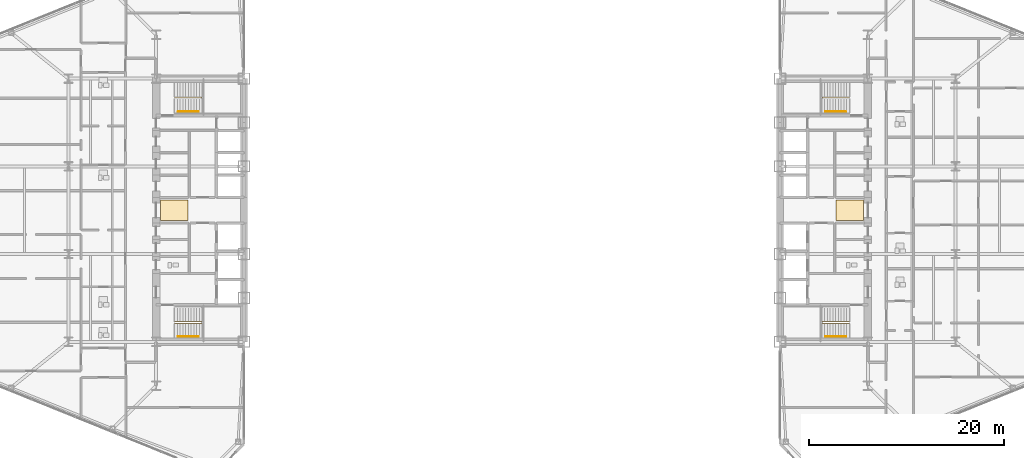
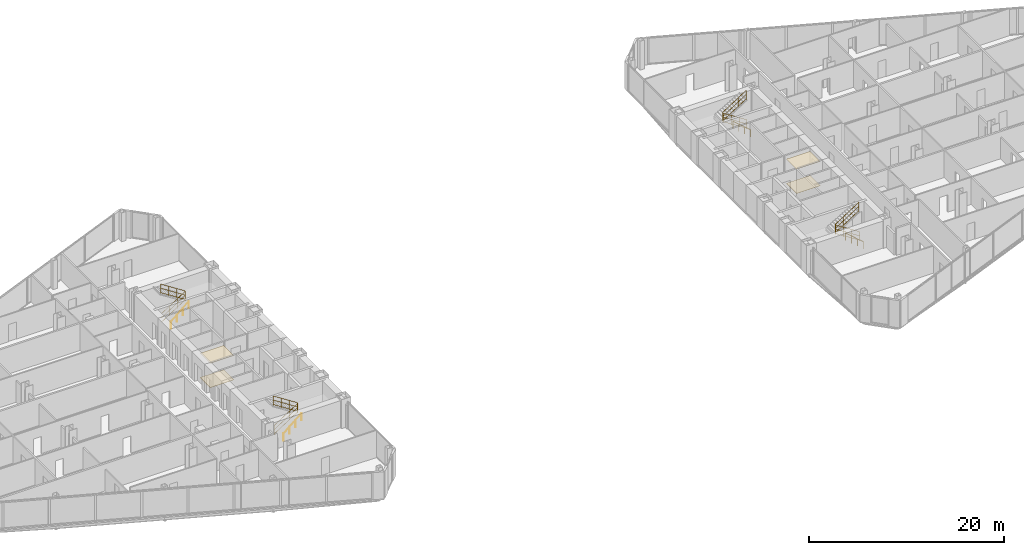
# One storey, part 24 of 25: 8 railings, 4 coverings.
"""IFC4 building model written with IfcOpenShell, lengths in metres."""

from ifc_helpers import new_model, si_unit, direction, frame, origin, origin_2d, place, context, subcontext, project, spatial, polyline, circle, outline, extrude, material, layer, layer_set, type_object, element, save


model = new_model("IFC4")

# Units and contexts
model_context = context("Model", 3, precision=1e-05, world=origin(), true_north=direction((0.0, 1.0)))
body_context = subcontext(model_context, "Body", "Model", "MODEL_VIEW")
ifc_project = project(units=[si_unit("LENGTHUNIT", "METRE"), si_unit("AREAUNIT", "SQUARE_METRE"), si_unit("VOLUMEUNIT", "CUBIC_METRE"), si_unit("PLANEANGLEUNIT", "RADIAN"), si_unit("MASSUNIT", "GRAM", prefix="KILO")], contexts=[model_context])

# Site, building, storey
site_placement = place(None, origin())
site = spatial("IfcSite", under=ifc_project, at=site_placement, CompositionType="ELEMENT")
building_placement = place(site_placement, origin())
building = spatial("IfcBuilding", under=site, at=building_placement, Name="Seokmaru Belvedere", CompositionType="ELEMENT")
storey_placement = place(building_placement, frame((0.0, 0.0, 33.300048828125)))
storey = spatial("IfcBuildingStorey", under=building, at=storey_placement, Name="L08", CompositionType="ELEMENT", Elevation=33.300048828125)

# Coverings
ifc_material_1 = material(Name="Engineered White Oak Timber", Category="wood")
ifc_layer_1 = layer(ifc_material_1, 0.02197265625)
ifc_layer_set_1 = layer_set([ifc_layer_1], Name="Engineered White Oak Timber")
covering_type_1 = type_object("IfcCoveringType", Name="Engineered Oak Residence Floor Finish 22", PredefinedType="FLOORING", material=ifc_layer_set_1)
covering_1_placement = place(storey_placement, origin())
element("IfcCovering", 1, at=covering_1_placement, inside=storey, type_object=covering_type_1, Name="L08 W Foyer Floor Finish", PredefinedType="FLOORING", context=body_context, shape_type="SweptSolid", body=[
    extrude(outline(polyline([(-36.050048828125, -1.050048828125), (-33.25, -1.050048828125), (-33.25, 1.050048828125), (-36.050048828125, 1.050048828125), (-36.050048828125, -1.050048828125)])), origin(), (0.0, 0.0, 1.0), 0.02197265625),
])
covering_2_placement = place(storey_placement, origin())
element("IfcCovering", 2, at=covering_2_placement, inside=storey, type_object=covering_type_1, Name="L08 E Foyer Floor Finish", PredefinedType="FLOORING", context=body_context, shape_type="SweptSolid", body=[
    extrude(outline(polyline([(33.25, -1.050048828125), (36.050048828125, -1.050048828125), (36.050048828125, 1.050048828125), (33.25, 1.050048828125), (33.25, -1.050048828125)])), origin(), (0.0, 0.0, 1.0), 0.02197265625),
])
ifc_material_2 = material(Name="Fire-Rated Gypsum Shaftwall")
ifc_layer_2 = layer(ifc_material_2, 0.02490234375)
ifc_layer_set_2 = layer_set([ifc_layer_2], Name="Fire-Rated Gypsum Shaftwall")
covering_type_2 = type_object("IfcCoveringType", Name="Perforated Acoustic Gypsum Suspended Ceiling 25", PredefinedType="CEILING", material=ifc_layer_set_2)
covering_3_placement = place(storey_placement, frame((0.0, 0.0, 3.030029296875)))
element("IfcCovering", 3, at=covering_3_placement, inside=storey, type_object=covering_type_2, Name="L08 W Lift Foyer Acoustic Ceiling", PredefinedType="CEILING", context=body_context, shape_type="SweptSolid", body=[
    extrude(outline(polyline([(-36.050048828125, -1.050048828125), (-33.25, -1.050048828125), (-33.25, 1.050048828125), (-36.050048828125, 1.050048828125), (-36.050048828125, -1.050048828125)])), origin(), (0.0, 0.0, 1.0), 0.02490234375),
])
covering_4_placement = place(storey_placement, frame((0.0, 0.0, 3.030029296875)))
element("IfcCovering", 4, at=covering_4_placement, inside=storey, type_object=covering_type_2, Name="L08 E Lift Foyer Acoustic Ceiling", PredefinedType="CEILING", context=body_context, shape_type="SweptSolid", body=[
    extrude(outline(polyline([(33.25, -1.050048828125), (36.050048828125, -1.050048828125), (36.050048828125, 1.050048828125), (33.25, 1.050048828125), (33.25, -1.050048828125)])), origin(), (0.0, 0.0, 1.0), 0.02490234375),
])

# Railings
ifc_material_3 = material(Name="Stainless Steel 316", Category="steel")
railing_type_1 = type_object("IfcRailingType", Name="Stainless Steel Wall and Flight Handrail 900", PredefinedType="HANDRAIL", material=ifc_material_3)
for number, where, name in (
    (5, (-34.25, -12.949951171875, 0.0), "L08 Stair ST-W1 Wall Handrail"),
    (6, (-34.25, 10.110107421875, 0.0), "L08 Stair ST-W2 Wall Handrail"),
):
    element("IfcRailing", number, at=place(storey_placement, frame(where)), inside=storey, type_object=railing_type_1, Name=name, PredefinedType="HANDRAIL", context=body_context, shape_type="SweptSolid", body=[
        extrude(circle(Radius=0.02392578125, at=origin_2d()), frame((0.0, 0.0, 0.8759765625), z_axis=(0.759262832861, 0.0, 0.650784104474), x_axis=(0.0, 1.0, 0.0)), (0.0, 0.0, 1.0), 2.765869140625),
        extrude(circle(Radius=0.02099609375, at=origin_2d()), origin(), (0.0, 0.0, 1.0), 0.851806640625),
        extrude(circle(Radius=0.02099609375, at=origin_2d()), frame((0.699951171875, 0.0, 0.60009765625)), (0.0, 0.0, 1.0), 0.851806640625),
        extrude(circle(Radius=0.02099609375, at=origin_2d()), frame((1.400146484375, 0.0, 1.199951171875)), (0.0, 0.0, 1.0), 0.851806640625),
        extrude(circle(Radius=0.02099609375, at=origin_2d()), frame((2.10009765625, 0.0, 1.800048828125)), (0.0, 0.0, 1.0), 0.851806640625),
    ])
for number, where, name in (
    (7, (34.25, -12.949951171875, 0.0), "L08 Stair ST-E1 Wall Handrail"),
    (8, (34.25, 10.110107421875, 0.0), "L08 Stair ST-E2 Wall Handrail"),
):
    element("IfcRailing", number, at=place(storey_placement, frame(where)), inside=storey, type_object=railing_type_1, Name=name, PredefinedType="HANDRAIL", context=body_context, shape_type="SweptSolid", body=[
        extrude(circle(Radius=0.02392578125, at=origin_2d()), frame((0.0, 0.0, 0.8759765625), z_axis=(-0.759262832861, 0.0, 0.650784104474), x_axis=(0.0, -1.0, 0.0)), (0.0, 0.0, 1.0), 2.765869140625),
        extrude(circle(Radius=0.02099609375, at=origin_2d()), origin(), (0.0, 0.0, 1.0), 0.851806640625),
        extrude(circle(Radius=0.02099609375, at=origin_2d()), frame((-0.699951171875, 0.0, 0.60009765625)), (0.0, 0.0, 1.0), 0.851806640625),
        extrude(circle(Radius=0.02099609375, at=origin_2d()), frame((-1.400146484375, 0.0, 1.199951171875)), (0.0, 0.0, 1.0), 0.851806640625),
        extrude(circle(Radius=0.02099609375, at=origin_2d()), frame((-2.10009765625, 0.0, 1.800048828125)), (0.0, 0.0, 1.0), 0.851806640625),
    ])
railing_type_2 = type_object("IfcRailingType", Name="Stair Well and Atrium Steel Guardrail 1200", PredefinedType="GUARDRAIL", material=ifc_material_3)
railing_1_placement = place(storey_placement, frame((-34.60009765625, -11.60009765625, 0.0)))
element("IfcRailing", 9, at=railing_1_placement, inside=storey, type_object=railing_type_2, Name="L08 Stair ST-W1 Inner Well Guardrail", PredefinedType="GUARDRAIL", context=body_context, shape_type="SweptSolid", body=[
    extrude(circle(Radius=0.02392578125, at=origin_2d()), frame((0.0, 0.0, 1.17578125), z_axis=(0.841176092368, 0.0, 0.540761298198), x_axis=(0.0, 1.0, 0.0)), (0.0, 0.0, 1.0), 3.32861328125),
    extrude(circle(Radius=0.02392578125, at=origin_2d()), frame((0.0, 0.0, 0.1201171875), z_axis=(0.841176092368, 0.0, 0.540761298198), x_axis=(0.0, 1.0, 0.0)), (0.0, 0.0, 1.0), 3.32861328125),
    extrude(circle(Radius=0.02392578125, at=origin_2d()), frame((0.0, 0.0, 0.659912109375), z_axis=(0.841176092368, 0.0, 0.540761298198), x_axis=(0.0, 1.0, 0.0)), (0.0, 0.0, 1.0), 3.32861328125),
    extrude(circle(Radius=0.02392578125, at=origin_2d()), frame((2.800048828125, 0.0, 2.97607421875), z_axis=(0.0, 1.0, 0.0), x_axis=(-1.0, 0.0, 0.0)), (0.0, 0.0, 1.0), 0.14013671875),
    extrude(circle(Radius=0.02392578125, at=origin_2d()), frame((2.800048828125, 0.0, 1.920166015625), z_axis=(0.0, 1.0, 0.0), x_axis=(-1.0, 0.0, 0.0)), (0.0, 0.0, 1.0), 0.14013671875),
    extrude(circle(Radius=0.02392578125, at=origin_2d()), frame((2.800048828125, 0.0, 2.4599609375), z_axis=(0.0, 1.0, 0.0), x_axis=(-1.0, 0.0, 0.0)), (0.0, 0.0, 1.0), 0.14013671875),
    extrude(circle(Radius=0.02392578125, at=origin_2d()), frame((2.800048828125, 0.14013671875, 2.97607421875), z_axis=(-0.841209454229, 0.0, 0.540709398952), x_axis=(0.0, -1.0, 0.0)), (0.0, 0.0, 1.0), 3.32861328125),
    extrude(circle(Radius=0.02392578125, at=origin_2d()), frame((2.800048828125, 0.14013671875, 1.920166015625), z_axis=(-0.841209454229, 0.0, 0.540709398952), x_axis=(0.0, -1.0, 0.0)), (0.0, 0.0, 1.0), 3.32861328125),
    extrude(circle(Radius=0.02392578125, at=origin_2d()), frame((2.800048828125, 0.14013671875, 2.4599609375), z_axis=(-0.841209454229, 0.0, 0.540709398952), x_axis=(0.0, -1.0, 0.0)), (0.0, 0.0, 1.0), 3.32861328125),
    extrude(circle(Radius=0.02099609375, at=origin_2d()), origin(), (0.0, 0.0, 1.0), 1.15185546875),
    extrude(circle(Radius=0.02099609375, at=origin_2d()), frame((0.933349609375, 0.0, 0.60009765625)), (0.0, 0.0, 1.0), 1.15185546875),
    extrude(circle(Radius=0.02099609375, at=origin_2d()), frame((1.86669921875, 0.0, 1.199951171875)), (0.0, 0.0, 1.0), 1.15185546875),
    extrude(circle(Radius=0.02099609375, at=origin_2d()), frame((2.800048828125, 0.0, 1.800048828125)), (0.0, 0.0, 1.0), 1.15185546875),
    extrude(circle(Radius=0.02099609375, at=origin_2d()), frame((2.800048828125, 0.14013671875, 1.800048828125)), (0.0, 0.0, 1.0), 1.15185546875),
    extrude(circle(Radius=0.02099609375, at=origin_2d()), frame((1.86669921875, 0.14013671875, 2.39990234375)), (0.0, 0.0, 1.0), 1.15185546875),
    extrude(circle(Radius=0.02099609375, at=origin_2d()), frame((0.933349609375, 0.14013671875, 3.0)), (0.0, 0.0, 1.0), 1.15185546875),
    extrude(circle(Radius=0.02099609375, at=origin_2d()), frame((0.0, 0.14013671875, 3.599853515625)), (0.0, 0.0, 1.0), 1.15185546875),
])
railing_2_placement = place(storey_placement, frame((-34.60009765625, 11.4599609375, 0.0)))
element("IfcRailing", 10, at=railing_2_placement, inside=storey, type_object=railing_type_2, Name="L08 Stair ST-W2 Inner Well Guardrail", PredefinedType="GUARDRAIL", context=body_context, shape_type="SweptSolid", body=[
    extrude(circle(Radius=0.02392578125, at=origin_2d()), frame((0.0, 0.0, 1.17578125), z_axis=(0.841176092368, 0.0, 0.540761298198), x_axis=(0.0, 1.0, 0.0)), (0.0, 0.0, 1.0), 3.32861328125),
    extrude(circle(Radius=0.02392578125, at=origin_2d()), frame((0.0, 0.0, 0.1201171875), z_axis=(0.841176092368, 0.0, 0.540761298198), x_axis=(0.0, 1.0, 0.0)), (0.0, 0.0, 1.0), 3.32861328125),
    extrude(circle(Radius=0.02392578125, at=origin_2d()), frame((0.0, 0.0, 0.659912109375), z_axis=(0.841176092368, 0.0, 0.540761298198), x_axis=(0.0, 1.0, 0.0)), (0.0, 0.0, 1.0), 3.32861328125),
    extrude(circle(Radius=0.02392578125, at=origin_2d()), frame((2.800048828125, 0.0, 2.97607421875), z_axis=(0.0, 1.0, 0.0), x_axis=(-1.0, 0.0, 0.0)), (0.0, 0.0, 1.0), 0.14013671875),
    extrude(circle(Radius=0.02392578125, at=origin_2d()), frame((2.800048828125, 0.0, 1.920166015625), z_axis=(0.0, 1.0, 0.0), x_axis=(-1.0, 0.0, 0.0)), (0.0, 0.0, 1.0), 0.14013671875),
    extrude(circle(Radius=0.02392578125, at=origin_2d()), frame((2.800048828125, 0.0, 2.4599609375), z_axis=(0.0, 1.0, 0.0), x_axis=(-1.0, 0.0, 0.0)), (0.0, 0.0, 1.0), 0.14013671875),
    extrude(circle(Radius=0.02392578125, at=origin_2d()), frame((2.800048828125, 0.14013671875, 2.97607421875), z_axis=(-0.841209454229, 0.0, 0.540709398952), x_axis=(0.0, -1.0, 0.0)), (0.0, 0.0, 1.0), 3.32861328125),
    extrude(circle(Radius=0.02392578125, at=origin_2d()), frame((2.800048828125, 0.14013671875, 1.920166015625), z_axis=(-0.841209454229, 0.0, 0.540709398952), x_axis=(0.0, -1.0, 0.0)), (0.0, 0.0, 1.0), 3.32861328125),
    extrude(circle(Radius=0.02392578125, at=origin_2d()), frame((2.800048828125, 0.14013671875, 2.4599609375), z_axis=(-0.841209454229, 0.0, 0.540709398952), x_axis=(0.0, -1.0, 0.0)), (0.0, 0.0, 1.0), 3.32861328125),
    extrude(circle(Radius=0.02099609375, at=origin_2d()), origin(), (0.0, 0.0, 1.0), 1.15185546875),
    extrude(circle(Radius=0.02099609375, at=origin_2d()), frame((0.933349609375, 0.0, 0.60009765625)), (0.0, 0.0, 1.0), 1.15185546875),
    extrude(circle(Radius=0.02099609375, at=origin_2d()), frame((1.86669921875, 0.0, 1.199951171875)), (0.0, 0.0, 1.0), 1.15185546875),
    extrude(circle(Radius=0.02099609375, at=origin_2d()), frame((2.800048828125, 0.0, 1.800048828125)), (0.0, 0.0, 1.0), 1.15185546875),
    extrude(circle(Radius=0.02099609375, at=origin_2d()), frame((2.800048828125, 0.14013671875, 1.800048828125)), (0.0, 0.0, 1.0), 1.15185546875),
    extrude(circle(Radius=0.02099609375, at=origin_2d()), frame((1.86669921875, 0.14013671875, 2.39990234375)), (0.0, 0.0, 1.0), 1.15185546875),
    extrude(circle(Radius=0.02099609375, at=origin_2d()), frame((0.933349609375, 0.14013671875, 3.0)), (0.0, 0.0, 1.0), 1.15185546875),
    extrude(circle(Radius=0.02099609375, at=origin_2d()), frame((0.0, 0.14013671875, 3.599853515625)), (0.0, 0.0, 1.0), 1.15185546875),
])
railing_3_placement = place(storey_placement, frame((34.60009765625, -11.60009765625, 0.0)))
element("IfcRailing", 11, at=railing_3_placement, inside=storey, type_object=railing_type_2, Name="L08 Stair ST-E1 Inner Well Guardrail", PredefinedType="GUARDRAIL", context=body_context, shape_type="SweptSolid", body=[
    extrude(circle(Radius=0.02392578125, at=origin_2d()), frame((0.0, 0.0, 1.17578125), z_axis=(-0.841176092368, 0.0, 0.540761298198), x_axis=(0.0, -1.0, 0.0)), (0.0, 0.0, 1.0), 3.32861328125),
    extrude(circle(Radius=0.02392578125, at=origin_2d()), frame((0.0, 0.0, 0.1201171875), z_axis=(-0.841176092368, 0.0, 0.540761298198), x_axis=(0.0, -1.0, 0.0)), (0.0, 0.0, 1.0), 3.32861328125),
    extrude(circle(Radius=0.02392578125, at=origin_2d()), frame((0.0, 0.0, 0.659912109375), z_axis=(-0.841176092368, 0.0, 0.540761298198), x_axis=(0.0, -1.0, 0.0)), (0.0, 0.0, 1.0), 3.32861328125),
    extrude(circle(Radius=0.02392578125, at=origin_2d()), frame((-2.800048828125, 0.0, 2.97607421875), z_axis=(0.0, 1.0, 0.0), x_axis=(-1.0, 0.0, 0.0)), (0.0, 0.0, 1.0), 0.14013671875),
    extrude(circle(Radius=0.02392578125, at=origin_2d()), frame((-2.800048828125, 0.0, 1.920166015625), z_axis=(0.0, 1.0, 0.0), x_axis=(-1.0, 0.0, 0.0)), (0.0, 0.0, 1.0), 0.14013671875),
    extrude(circle(Radius=0.02392578125, at=origin_2d()), frame((-2.800048828125, 0.0, 2.4599609375), z_axis=(0.0, 1.0, 0.0), x_axis=(-1.0, 0.0, 0.0)), (0.0, 0.0, 1.0), 0.14013671875),
    extrude(circle(Radius=0.02392578125, at=origin_2d()), frame((-2.800048828125, 0.14013671875, 2.97607421875), z_axis=(0.841209454229, 0.0, 0.540709398952), x_axis=(0.0, 1.0, 0.0)), (0.0, 0.0, 1.0), 3.32861328125),
    extrude(circle(Radius=0.02392578125, at=origin_2d()), frame((-2.800048828125, 0.14013671875, 1.920166015625), z_axis=(0.841209454229, 0.0, 0.540709398952), x_axis=(0.0, 1.0, 0.0)), (0.0, 0.0, 1.0), 3.32861328125),
    extrude(circle(Radius=0.02392578125, at=origin_2d()), frame((-2.800048828125, 0.14013671875, 2.4599609375), z_axis=(0.841209454229, 0.0, 0.540709398952), x_axis=(0.0, 1.0, 0.0)), (0.0, 0.0, 1.0), 3.32861328125),
    extrude(circle(Radius=0.02099609375, at=origin_2d()), origin(), (0.0, 0.0, 1.0), 1.15185546875),
    extrude(circle(Radius=0.02099609375, at=origin_2d()), frame((-0.933349609375, 0.0, 0.60009765625)), (0.0, 0.0, 1.0), 1.15185546875),
    extrude(circle(Radius=0.02099609375, at=origin_2d()), frame((-1.86669921875, 0.0, 1.199951171875)), (0.0, 0.0, 1.0), 1.15185546875),
    extrude(circle(Radius=0.02099609375, at=origin_2d()), frame((-2.800048828125, 0.0, 1.800048828125)), (0.0, 0.0, 1.0), 1.15185546875),
    extrude(circle(Radius=0.02099609375, at=origin_2d()), frame((-2.800048828125, 0.14013671875, 1.800048828125)), (0.0, 0.0, 1.0), 1.15185546875),
    extrude(circle(Radius=0.02099609375, at=origin_2d()), frame((-1.86669921875, 0.14013671875, 2.39990234375)), (0.0, 0.0, 1.0), 1.15185546875),
    extrude(circle(Radius=0.02099609375, at=origin_2d()), frame((-0.933349609375, 0.14013671875, 3.0)), (0.0, 0.0, 1.0), 1.15185546875),
    extrude(circle(Radius=0.02099609375, at=origin_2d()), frame((0.0, 0.14013671875, 3.599853515625)), (0.0, 0.0, 1.0), 1.15185546875),
])
railing_4_placement = place(storey_placement, frame((34.60009765625, 11.4599609375, 0.0)))
element("IfcRailing", 12, at=railing_4_placement, inside=storey, type_object=railing_type_2, Name="L08 Stair ST-E2 Inner Well Guardrail", PredefinedType="GUARDRAIL", context=body_context, shape_type="SweptSolid", body=[
    extrude(circle(Radius=0.02392578125, at=origin_2d()), frame((0.0, 0.0, 1.17578125), z_axis=(-0.841176092368, 0.0, 0.540761298198), x_axis=(0.0, -1.0, 0.0)), (0.0, 0.0, 1.0), 3.32861328125),
    extrude(circle(Radius=0.02392578125, at=origin_2d()), frame((0.0, 0.0, 0.1201171875), z_axis=(-0.841176092368, 0.0, 0.540761298198), x_axis=(0.0, -1.0, 0.0)), (0.0, 0.0, 1.0), 3.32861328125),
    extrude(circle(Radius=0.02392578125, at=origin_2d()), frame((0.0, 0.0, 0.659912109375), z_axis=(-0.841176092368, 0.0, 0.540761298198), x_axis=(0.0, -1.0, 0.0)), (0.0, 0.0, 1.0), 3.32861328125),
    extrude(circle(Radius=0.02392578125, at=origin_2d()), frame((-2.800048828125, 0.0, 2.97607421875), z_axis=(0.0, 1.0, 0.0), x_axis=(-1.0, 0.0, 0.0)), (0.0, 0.0, 1.0), 0.14013671875),
    extrude(circle(Radius=0.02392578125, at=origin_2d()), frame((-2.800048828125, 0.0, 1.920166015625), z_axis=(0.0, 1.0, 0.0), x_axis=(-1.0, 0.0, 0.0)), (0.0, 0.0, 1.0), 0.14013671875),
    extrude(circle(Radius=0.02392578125, at=origin_2d()), frame((-2.800048828125, 0.0, 2.4599609375), z_axis=(0.0, 1.0, 0.0), x_axis=(-1.0, 0.0, 0.0)), (0.0, 0.0, 1.0), 0.14013671875),
    extrude(circle(Radius=0.02392578125, at=origin_2d()), frame((-2.800048828125, 0.14013671875, 2.97607421875), z_axis=(0.841209454229, 0.0, 0.540709398952), x_axis=(0.0, 1.0, 0.0)), (0.0, 0.0, 1.0), 3.32861328125),
    extrude(circle(Radius=0.02392578125, at=origin_2d()), frame((-2.800048828125, 0.14013671875, 1.920166015625), z_axis=(0.841209454229, 0.0, 0.540709398952), x_axis=(0.0, 1.0, 0.0)), (0.0, 0.0, 1.0), 3.32861328125),
    extrude(circle(Radius=0.02392578125, at=origin_2d()), frame((-2.800048828125, 0.14013671875, 2.4599609375), z_axis=(0.841209454229, 0.0, 0.540709398952), x_axis=(0.0, 1.0, 0.0)), (0.0, 0.0, 1.0), 3.32861328125),
    extrude(circle(Radius=0.02099609375, at=origin_2d()), origin(), (0.0, 0.0, 1.0), 1.15185546875),
    extrude(circle(Radius=0.02099609375, at=origin_2d()), frame((-0.933349609375, 0.0, 0.60009765625)), (0.0, 0.0, 1.0), 1.15185546875),
    extrude(circle(Radius=0.02099609375, at=origin_2d()), frame((-1.86669921875, 0.0, 1.199951171875)), (0.0, 0.0, 1.0), 1.15185546875),
    extrude(circle(Radius=0.02099609375, at=origin_2d()), frame((-2.800048828125, 0.0, 1.800048828125)), (0.0, 0.0, 1.0), 1.15185546875),
    extrude(circle(Radius=0.02099609375, at=origin_2d()), frame((-2.800048828125, 0.14013671875, 1.800048828125)), (0.0, 0.0, 1.0), 1.15185546875),
    extrude(circle(Radius=0.02099609375, at=origin_2d()), frame((-1.86669921875, 0.14013671875, 2.39990234375)), (0.0, 0.0, 1.0), 1.15185546875),
    extrude(circle(Radius=0.02099609375, at=origin_2d()), frame((-0.933349609375, 0.14013671875, 3.0)), (0.0, 0.0, 1.0), 1.15185546875),
    extrude(circle(Radius=0.02099609375, at=origin_2d()), frame((0.0, 0.14013671875, 3.599853515625)), (0.0, 0.0, 1.0), 1.15185546875),
])

save(model, "model.ifc")
